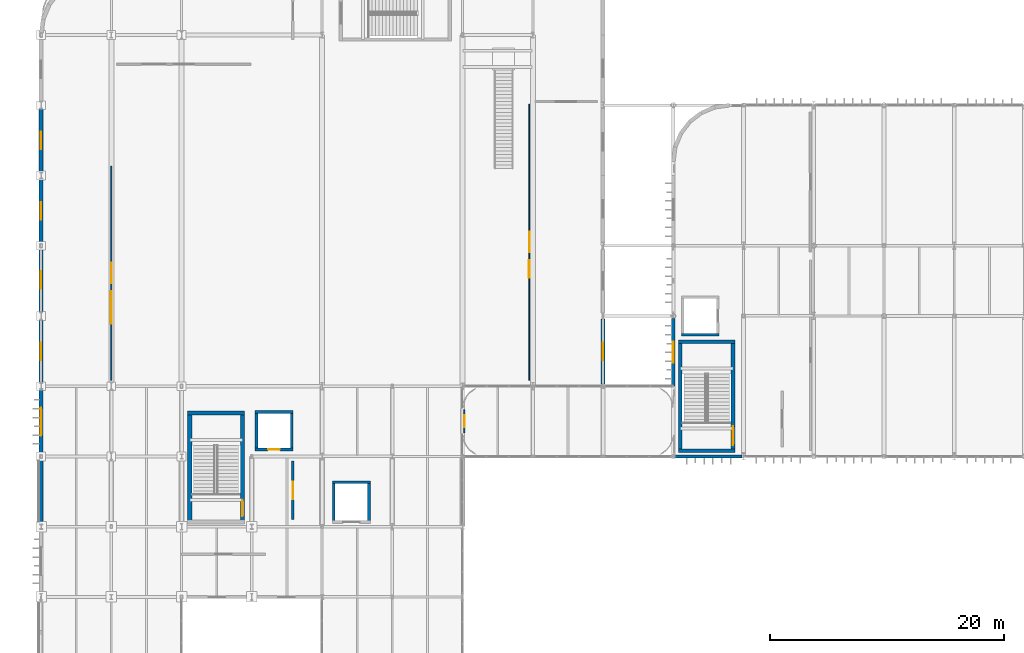
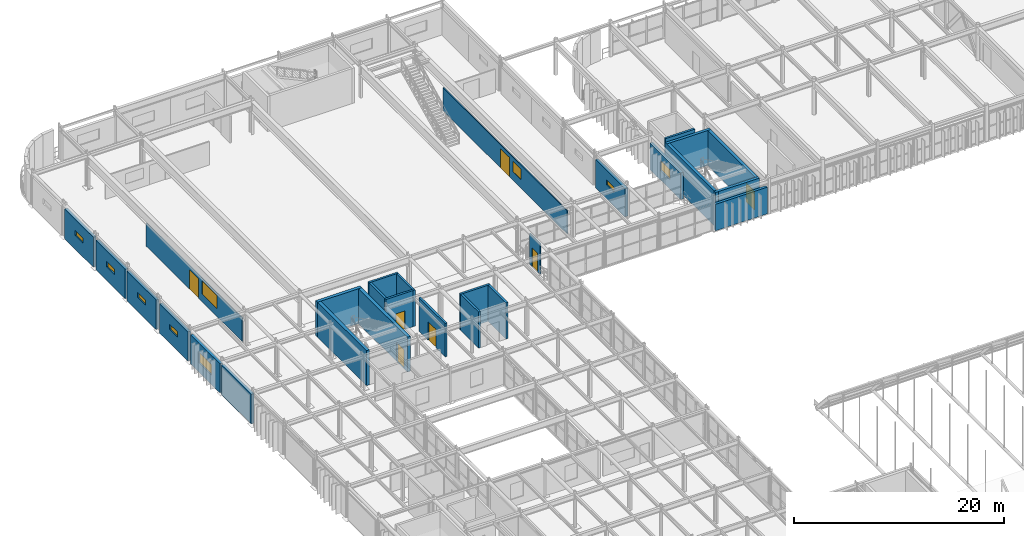
# One storey, part 89 of 116: 28 walls, 9 windows, 7 doors, 16 openings.
"""IFC4 building model written with IfcOpenShell, lengths in metres."""

from ifc_helpers import new_model, si_unit, direction, frame, frame_2d, origin, place, context, subcontext, project, spatial, rectangle, extrude, material, layer, layer_set, type_object, element, fill, save


model = new_model("IFC4")

# Units and contexts
model_context = context("Model", 3, precision=1e-05, world=origin(), true_north=direction((0.0, 1.0)))
body_context = subcontext(model_context, "Body", "Model", "MODEL_VIEW")
ifc_project = project(units=[si_unit("LENGTHUNIT", "METRE"), si_unit("AREAUNIT", "SQUARE_METRE"), si_unit("VOLUMEUNIT", "CUBIC_METRE"), si_unit("PLANEANGLEUNIT", "RADIAN"), si_unit("MASSUNIT", "GRAM", prefix="KILO")], contexts=[model_context])

# Site, building, storey
site_placement = place(None, origin())
site = spatial("IfcSite", under=ifc_project, at=site_placement, CompositionType="ELEMENT")
building_placement = place(site_placement, origin())
building = spatial("IfcBuilding", under=site, at=building_placement, Name="Varnakota Square Police Headquarters", CompositionType="ELEMENT")
storey_placement = place(building_placement, frame((0.0, 0.0, 9.300048828125)))
storey = spatial("IfcBuildingStorey", under=building, at=storey_placement, Name="L02", CompositionType="ELEMENT", Elevation=9.300048828125)

# Wall, opening, door
ifc_material_1 = material(Name="Concrete M40", Category="concrete")
ifc_layer_1 = layer(ifc_material_1, 0.22998046875, Name="Concrete M40")
ifc_layer_set_1 = layer_set([ifc_layer_1], Name="Concrete M40")
wall_type_1 = type_object("IfcWallType", Name="WL-CORE-230", PredefinedType="SHEAR", material=ifc_layer_set_1)
wall_1_placement = place(storey_placement, frame((24.284912109375, 69.60009765625, 0.0), z_axis=(0.0, 0.0, 1.0), x_axis=(1.0, 0.0, 0.0)))
wall_1 = element("IfcWall", 1, at=wall_1_placement, inside=storey, type_object=wall_type_1, Name="Lift shaft wall LF-P3 L02 S", PredefinedType="SHEAR", context=body_context, shape_type="SweptSolid", body=[
    extrude(rectangle(XDim=3.22998046875, YDim=0.22998046875, at=frame_2d((1.614990234375, 0.0))), origin(), (0.0, 0.0, 1.0), 4.199951171875),
])
opening_1_placement = place(wall_1_placement, frame((1.114990234375, 0.0, 0.0)))
opening_1 = element("IfcOpeningElement", 2, at=opening_1_placement, cuts=wall_1, Name="Opening LD034", PredefinedType="OPENING", context=body_context, shape_type="SweptSolid", body=[
    extrude(rectangle(XDim=1.0, YDim=2.14990234375, at=frame_2d((0.5, 1.074951171875))), frame((0.0, 0.125, 0.0), z_axis=(0.0, -1.0, 0.0), x_axis=(1.0, 0.0, 0.0)), (0.0, 0.0, 1.0), 0.25),
])
ifc_material_2 = material(Name="Brushed Grade 316 Stainless Steel", Category="steel")
door_type_1 = type_object("IfcDoorType", Name="DR-LD-PAX", OperationType="NOTDEFINED", PredefinedType="DOOR", material=ifc_material_2)
door_1_placement = place(opening_1_placement, origin())
door_1 = element("IfcDoor", 3, at=door_1_placement, inside=storey, type_object=door_type_1, Name="Lift sliding landing door LD034", OperationType="SLIDING_TO_LEFT", OverallHeight=2.14990234375, OverallWidth=1.0, PredefinedType="DOOR", context=body_context, shape_type="SweptSolid", body=[
    extrude(rectangle(XDim=1.0, YDim=2.14990234375, at=frame_2d((0.5, 1.074951171875))), frame((0.0, 0.02490234375, 0.0), z_axis=(0.0, -1.0, 0.0), x_axis=(1.0, 0.0, 0.0)), (0.0, 0.0, 1.0), 0.050048828125),
])
fill(opening_1, door_1)

# Walls
wall_2_placement = place(storey_placement, frame((27.39990234375, 69.485107421875, 0.0), z_axis=(0.0, 0.0, 1.0), x_axis=(0.0, 1.0, 0.0)))
element("IfcWall", 4, at=wall_2_placement, inside=storey, type_object=wall_type_1, Name="Lift shaft wall LF-P3 L02 E", PredefinedType="SHEAR", context=body_context, shape_type="SweptSolid", body=[
    extrude(rectangle(XDim=3.429931640625, YDim=0.22998046875, at=frame_2d((1.71484375, 0.0))), origin(), (0.0, 0.0, 1.0), 4.199951171875),
])
wall_3_placement = place(storey_placement, frame((27.514892578125, 72.800048828125, 0.0), z_axis=(0.0, 0.0, 1.0), x_axis=(-1.0, 0.0, 0.0)))
element("IfcWall", 5, at=wall_3_placement, inside=storey, type_object=wall_type_1, Name="Lift shaft wall LF-P3 L02 N", PredefinedType="SHEAR", context=body_context, shape_type="SweptSolid", body=[
    extrude(rectangle(XDim=3.22998046875, YDim=0.22998046875, at=frame_2d((1.614990234375, 0.0))), origin(), (0.0, 0.0, 1.0), 4.199951171875),
])
wall_4_placement = place(storey_placement, frame((24.39990234375, 72.9150390625, 0.0), z_axis=(0.0, 0.0, 1.0), x_axis=(0.0, -1.0, 0.0)))
element("IfcWall", 6, at=wall_4_placement, inside=storey, type_object=wall_type_1, Name="Lift shaft wall LF-P3 L02 W", PredefinedType="SHEAR", context=body_context, shape_type="SweptSolid", body=[
    extrude(rectangle(XDim=3.429931640625, YDim=0.22998046875, at=frame_2d((1.71484375, 0.0))), origin(), (0.0, 0.0, 1.0), 4.199951171875),
])
wall_5_placement = place(storey_placement, frame((60.68505859375, 79.39990234375, 0.0), z_axis=(0.0, 0.0, 1.0), x_axis=(1.0, 0.0, 0.0)))
element("IfcWall", 7, at=wall_5_placement, inside=storey, type_object=wall_type_1, Name="Lift shaft wall LF-P4 L02 S", PredefinedType="SHEAR", context=body_context, shape_type="SweptSolid", body=[
    extrude(rectangle(XDim=3.22998046875, YDim=0.22998046875, at=frame_2d((1.614990234375, 0.0))), origin(), (0.0, 0.0, 1.0), 4.199951171875),
])
wall_6_placement = place(storey_placement, frame((34.0, 63.284912109375, 0.0), z_axis=(0.0, 0.0, 1.0), x_axis=(0.0, 1.0, 0.0)))
element("IfcWall", 8, at=wall_6_placement, inside=storey, type_object=wall_type_1, Name="Lift shaft wall LF-G1 L02 E", PredefinedType="SHEAR", context=body_context, shape_type="SweptSolid", body=[
    extrude(rectangle(XDim=3.630126953125, YDim=0.22998046875, at=frame_2d((1.81494140625, 0.0))), origin(), (0.0, 0.0, 1.0), 4.199951171875),
])
wall_7_placement = place(storey_placement, frame((34.114990234375, 66.800048828125, 0.0), z_axis=(0.0, 0.0, 1.0), x_axis=(-1.0, 0.0, 0.0)))
element("IfcWall", 9, at=wall_7_placement, inside=storey, type_object=wall_type_1, Name="Lift shaft wall LF-G1 L02 N", PredefinedType="SHEAR", context=body_context, shape_type="SweptSolid", body=[
    extrude(rectangle(XDim=3.22998046875, YDim=0.22998046875, at=frame_2d((1.614990234375, 0.0))), origin(), (0.0, 0.0, 1.0), 4.199951171875),
])
wall_8_placement = place(storey_placement, frame((31.0, 66.9150390625, 0.0), z_axis=(0.0, 0.0, 1.0), x_axis=(0.0, -1.0, 0.0)))
element("IfcWall", 10, at=wall_8_placement, inside=storey, type_object=wall_type_1, Name="Lift shaft wall LF-G1 L02 W", PredefinedType="SHEAR", context=body_context, shape_type="SweptSolid", body=[
    extrude(rectangle(XDim=3.630126953125, YDim=0.22998046875, at=frame_2d((1.81494140625, 0.0))), origin(), (0.0, 0.0, 1.0), 4.199951171875),
])
ifc_material_3 = material(Name="Concrete M50", Category="concrete")
ifc_layer_2 = layer(ifc_material_3, 0.31005859375, Name="Concrete M50")
ifc_layer_set_2 = layer_set([ifc_layer_2], Name="Concrete M50")
wall_type_2 = type_object("IfcWallType", Name="WL-CORE-310", PredefinedType="SHEAR", material=ifc_layer_set_2)
wall_9_placement = place(storey_placement, frame((60.445068359375, 69.5, 0.0), z_axis=(0.0, 0.0, 1.0), x_axis=(1.0, 0.0, 0.0)))
element("IfcWall", 11, at=wall_9_placement, inside=storey, type_object=wall_type_2, Name="Core C6 shear wall L02 S", PredefinedType="SHEAR", context=body_context, shape_type="SweptSolid", body=[
    extrude(rectangle(XDim=4.809814453125, YDim=0.31005859375, at=frame_2d((2.40478515625, 0.0))), origin(), (0.0, 0.0, 1.0), 4.06005859375),
])

# Wall, opening, door
wall_10_placement = place(storey_placement, frame((65.10009765625, 69.344970703125, 0.0), z_axis=(0.0, 0.0, 1.0), x_axis=(0.0, 1.0, 0.0)))
wall_10 = element("IfcWall", 12, at=wall_10_placement, inside=storey, type_object=wall_type_2, Name="Core C6 shear wall L02 E", PredefinedType="SHEAR", context=body_context, shape_type="SweptSolid", body=[
    extrude(rectangle(XDim=9.610107421875, YDim=0.31005859375, at=frame_2d((4.80517578125, 0.0))), origin(), (0.0, 0.0, 1.0), 4.06005859375),
])
opening_2_placement = place(wall_10_placement, frame((0.635009765625, 0.0, 0.0)))
opening_2 = element("IfcOpeningElement", 13, at=opening_2_placement, cuts=wall_10, Name="Opening SD094", PredefinedType="OPENING", context=body_context, shape_type="SweptSolid", body=[
    extrude(rectangle(XDim=1.60009765625, YDim=2.199951171875, at=frame_2d((0.800048828125, 1.10009765625))), frame((0.0, 0.1650390625, 0.0), z_axis=(0.0, -1.0, 0.0), x_axis=(1.0, 0.0, 0.0)), (0.0, 0.0, 1.0), 0.330078125),
])
ifc_material_4 = material(Name="Powder-Coated Galvanised Steel", Category="steel")
door_type_2 = type_object("IfcDoorType", Name="DR-ST-160", OperationType="NOTDEFINED", PredefinedType="DOOR", material=ifc_material_4)
door_2_placement = place(opening_2_placement, origin())
door_2 = element("IfcDoor", 14, at=door_2_placement, inside=storey, type_object=door_type_2, Name="Protected stair door SD094", OperationType="DOUBLE_DOOR_SINGLE_SWING", OverallHeight=2.199951171875, OverallWidth=1.60009765625, PredefinedType="DOOR", context=body_context, shape_type="SweptSolid", body=[
    extrude(rectangle(XDim=1.60009765625, YDim=2.199951171875, at=frame_2d((0.800048828125, 1.10009765625))), frame((0.0, 0.02490234375, 0.0), z_axis=(0.0, -1.0, 0.0), x_axis=(1.0, 0.0, 0.0)), (0.0, 0.0, 1.0), 0.050048828125),
])
fill(opening_2, door_2)

# Walls
wall_11_placement = place(storey_placement, frame((65.2548828125, 78.800048828125, 0.0), z_axis=(0.0, 0.0, 1.0), x_axis=(-1.0, 0.0, 0.0)))
element("IfcWall", 15, at=wall_11_placement, inside=storey, type_object=wall_type_2, Name="Core C6 shear wall L02 N", PredefinedType="SHEAR", context=body_context, shape_type="SweptSolid", body=[
    extrude(rectangle(XDim=4.809814453125, YDim=0.31005859375, at=frame_2d((2.40478515625, 0.0))), origin(), (0.0, 0.0, 1.0), 4.06005859375),
])
wall_12_placement = place(storey_placement, frame((60.60009765625, 78.955078125, 0.0), z_axis=(0.0, 0.0, 1.0), x_axis=(0.0, -1.0, 0.0)))
element("IfcWall", 16, at=wall_12_placement, inside=storey, type_object=wall_type_2, Name="Core C6 shear wall L02 W", PredefinedType="SHEAR", context=body_context, shape_type="SweptSolid", body=[
    extrude(rectangle(XDim=9.610107421875, YDim=0.31005859375, at=frame_2d((4.80517578125, 0.0))), origin(), (0.0, 0.0, 1.0), 4.06005859375),
])

# Wall, opening, door
ifc_layer_3 = layer(ifc_material_3, 0.35009765625, Name="Concrete M50")
ifc_layer_set_3 = layer_set([ifc_layer_3], Name="Concrete M50")
wall_type_3 = type_object("IfcWallType", Name="WL-CORE-350", PredefinedType="SHEAR", material=ifc_layer_set_3)
wall_13_placement = place(storey_placement, frame((23.199951171875, 63.22509765625, 0.0), z_axis=(0.0, 0.0, 1.0), x_axis=(0.0, 1.0, 0.0)))
wall_13 = element("IfcWall", 17, at=wall_13_placement, inside=storey, type_object=wall_type_3, Name="Core C5 shear wall L02 E", PredefinedType="SHEAR", context=body_context, shape_type="SweptSolid", body=[
    extrude(rectangle(XDim=9.64990234375, YDim=0.35009765625, at=frame_2d((4.824951171875, 0.0))), origin(), (0.0, 0.0, 1.0), 4.06005859375),
])
opening_3_placement = place(wall_13_placement, frame((0.655029296875, 0.0, 0.0)))
opening_3 = element("IfcOpeningElement", 18, at=opening_3_placement, cuts=wall_13, Name="Opening SD080", PredefinedType="OPENING", context=body_context, shape_type="SweptSolid", body=[
    extrude(rectangle(XDim=1.39990234375, YDim=2.199951171875, at=frame_2d((0.699951171875, 1.10009765625))), frame((0.0, 0.18505859375, 0.0), z_axis=(0.0, -1.0, 0.0), x_axis=(1.0, 0.0, 0.0)), (0.0, 0.0, 1.0), 0.3701171875),
])
door_type_3 = type_object("IfcDoorType", Name="DR-ST-140", OperationType="NOTDEFINED", PredefinedType="DOOR", material=ifc_material_4)
door_3_placement = place(opening_3_placement, origin())
door_3 = element("IfcDoor", 19, at=door_3_placement, inside=storey, type_object=door_type_3, Name="Protected stair door SD080", OperationType="DOUBLE_DOOR_SINGLE_SWING", OverallHeight=2.199951171875, OverallWidth=1.39990234375, PredefinedType="DOOR", context=body_context, shape_type="SweptSolid", body=[
    extrude(rectangle(XDim=1.39990234375, YDim=2.199951171875, at=frame_2d((0.699951171875, 1.10009765625))), frame((0.0, 0.02490234375, 0.0), z_axis=(0.0, -1.0, 0.0), x_axis=(1.0, 0.0, 0.0)), (0.0, 0.0, 1.0), 0.050048828125),
])
fill(opening_3, door_3)

# Walls
wall_14_placement = place(storey_placement, frame((23.375, 72.699951171875, 0.0), z_axis=(0.0, 0.0, 1.0), x_axis=(-1.0, 0.0, 0.0)))
element("IfcWall", 20, at=wall_14_placement, inside=storey, type_object=wall_type_3, Name="Core C5 shear wall L02 N", PredefinedType="SHEAR", context=body_context, shape_type="SweptSolid", body=[
    extrude(rectangle(XDim=4.85009765625, YDim=0.35009765625, at=frame_2d((2.425048828125, 0.0))), origin(), (0.0, 0.0, 1.0), 4.06005859375),
])
wall_15_placement = place(storey_placement, frame((18.699951171875, 72.875, 0.0), z_axis=(0.0, 0.0, 1.0), x_axis=(0.0, -1.0, 0.0)))
element("IfcWall", 21, at=wall_15_placement, inside=storey, type_object=wall_type_3, Name="Core C5 shear wall L02 W", PredefinedType="SHEAR", context=body_context, shape_type="SweptSolid", body=[
    extrude(rectangle(XDim=9.64990234375, YDim=0.35009765625, at=frame_2d((4.824951171875, 0.0))), origin(), (0.0, 0.0, 1.0), 4.06005859375),
])
ifc_layer_4 = layer(ifc_material_1, 0.280029296875, Name="Concrete M40")
ifc_layer_set_4 = layer_set([ifc_layer_4], Name="Concrete M40")
wall_type_4 = type_object("IfcWallType", Name="WL-EXT-280", PredefinedType="SOLIDWALL", material=ifc_layer_set_4)
wall_16_placement = place(storey_placement, frame((60.154052734375, 69.0, 0.0), z_axis=(0.0, 0.0, 1.0), x_axis=(1.0, 0.0, 0.0)))
element("IfcWall", 22, at=wall_16_placement, inside=storey, type_object=wall_type_4, Name="Exterior wall EW-L02-0504", PredefinedType="SOLIDWALL", context=body_context, shape_type="SweptSolid", body=[
    extrude(rectangle(XDim=5.717041015625, YDim=0.280029296875, at=frame_2d((2.8583984375, 0.0))), origin(), (0.0, 0.0, 1.0), 3.08984375),
])
ifc_material_5 = material(Name="Precast concrete M40", Category="concrete")
ifc_layer_5 = layer(ifc_material_5, 0.320068359375, Name="Precast concrete M40")
ifc_layer_set_5 = layer_set([ifc_layer_5], Name="Precast concrete M40")
wall_type_5 = type_object("IfcWallType", Name="WL-EXT-320", PredefinedType="SOLIDWALL", material=ifc_layer_set_5)
wall_17_placement = place(storey_placement, frame((6.0, 63.2041015625, 0.0), z_axis=(0.0, 0.0, 1.0), x_axis=(0.0, 1.0, 0.0)))
element("IfcWall", 23, at=wall_17_placement, inside=storey, type_object=wall_type_5, Name="Exterior wall EW-L02-0420", PredefinedType="SOLIDWALL", context=body_context, shape_type="SweptSolid", body=[
    extrude(rectangle(XDim=5.641845703125, YDim=0.320068359375, at=frame_2d((2.82080078125, 0.0))), origin(), (0.0, 0.0, 1.0), 3.43994140625),
])

# Wall, opening, window
wall_18_placement = place(storey_placement, frame((6.0, 69.154052734375, 0.0), z_axis=(0.0, 0.0, 1.0), x_axis=(0.0, 1.0, 0.0)))
wall_18 = element("IfcWall", 24, at=wall_18_placement, inside=storey, type_object=wall_type_5, Name="Exterior wall EW-L02-0421", PredefinedType="SOLIDWALL", context=body_context, shape_type="SweptSolid", body=[
    extrude(rectangle(XDim=5.592041015625, YDim=0.320068359375, at=frame_2d((2.7958984375, 0.0))), origin(), (0.0, 0.0, 1.0), 3.389892578125),
])
opening_4_placement = place(wall_18_placement, frame((1.595947265625, 0.0, 1.10009765625)))
opening_4 = element("IfcOpeningElement", 25, at=opening_4_placement, cuts=wall_18, Name="Opening W06", PredefinedType="OPENING", context=body_context, shape_type="SweptSolid", body=[
    extrude(rectangle(XDim=2.39990234375, YDim=1.199951171875, at=frame_2d((1.199951171875, 0.60009765625))), frame((0.0, 0.169921875, 0.0), z_axis=(0.0, -1.0, 0.0), x_axis=(1.0, 0.0, 0.0)), (0.0, 0.0, 1.0), 0.340087890625),
])
ifc_material_6 = material(Name="Thermally Broken Aluminium Double-Glazed Window", Category="aluminium")
window_type_1 = type_object("IfcWindowType", Name="WIN-06", PartitioningType="SINGLE_PANEL", PredefinedType="WINDOW", material=ifc_material_6)
window_1_placement = place(opening_4_placement, origin())
window_1 = element("IfcWindow", 26, at=window_1_placement, inside=storey, type_object=window_type_1, Name="Window WN-L02-0084", OverallHeight=1.199951171875, OverallWidth=2.39990234375, PartitioningType="SINGLE_PANEL", PredefinedType="WINDOW", context=body_context, shape_type="SweptSolid", body=[
    extrude(rectangle(XDim=2.39990234375, YDim=1.199951171875, at=frame_2d((1.199951171875, 0.60009765625))), frame((0.0, 0.030029296875, 0.0), z_axis=(0.0, -1.0, 0.0), x_axis=(1.0, 0.0, 0.0)), (0.0, 0.0, 1.0), 0.06005859375),
])
fill(opening_4, window_1)

wall_19_placement = place(storey_placement, frame((60.0, 75.0, 0.0), z_axis=(0.0, 0.0, 1.0), x_axis=(0.0, 1.0, 0.0)))
wall_19 = element("IfcWall", 27, at=wall_19_placement, inside=storey, type_object=wall_type_5, Name="Exterior wall EW-L02-0505", PredefinedType="SOLIDWALL", context=body_context, shape_type="SweptSolid", body=[
    extrude(rectangle(XDim=5.792724609375, YDim=0.320068359375, at=frame_2d((2.896484375, 0.0))), origin(), (0.0, 0.0, 1.0), 3.08984375),
])
opening_5_placement = place(wall_19_placement, frame((1.996337890625, 0.0, 1.10009765625)))
opening_5 = element("IfcOpeningElement", 28, at=opening_5_placement, cuts=wall_19, Name="Opening W05", PredefinedType="OPENING", context=body_context, shape_type="SweptSolid", body=[
    extrude(rectangle(XDim=1.800048828125, YDim=1.199951171875, at=frame_2d((0.89990234375, 0.60009765625))), frame((0.0, 0.169921875, 0.0), z_axis=(0.0, -1.0, 0.0), x_axis=(1.0, 0.0, 0.0)), (0.0, 0.0, 1.0), 0.340087890625),
])
window_type_2 = type_object("IfcWindowType", Name="WIN-05", PartitioningType="SINGLE_PANEL", PredefinedType="WINDOW", material=ifc_material_6)
window_2_placement = place(opening_5_placement, origin())
window_2 = element("IfcWindow", 29, at=window_2_placement, inside=storey, type_object=window_type_2, Name="Window WN-L02-0119", OverallHeight=1.199951171875, OverallWidth=1.800048828125, PartitioningType="SINGLE_PANEL", PredefinedType="WINDOW", context=body_context, shape_type="SweptSolid", body=[
    extrude(rectangle(XDim=1.800048828125, YDim=1.199951171875, at=frame_2d((0.89990234375, 0.60009765625))), frame((0.0, 0.030029296875, 0.0), z_axis=(0.0, -1.0, 0.0), x_axis=(1.0, 0.0, 0.0)), (0.0, 0.0, 1.0), 0.06005859375),
])
fill(opening_5, window_2)

wall_20_placement = place(storey_placement, frame((6.0, 75.25390625, 0.0), z_axis=(0.0, 0.0, 1.0), x_axis=(0.0, 1.0, 0.0)))
wall_20 = element("IfcWall", 30, at=wall_20_placement, inside=storey, type_object=wall_type_5, Name="Exterior wall EW-L02-0603", PredefinedType="SOLIDWALL", context=body_context, shape_type="SweptSolid", body=[
    extrude(rectangle(XDim=5.442138671875, YDim=0.320068359375, at=frame_2d((2.72119140625, 0.0))), origin(), (0.0, 0.0, 1.0), 3.389892578125),
])
opening_6_placement = place(wall_20_placement, frame((1.970947265625, 0.0, 1.60009765625)))
opening_6 = element("IfcOpeningElement", 31, at=opening_6_placement, cuts=wall_20, Name="Opening W14", PredefinedType="OPENING", context=body_context, shape_type="SweptSolid", body=[
    extrude(rectangle(XDim=1.5, YDim=0.60009765625, at=frame_2d((0.75, 0.300048828125))), frame((0.0, 0.169921875, 0.0), z_axis=(0.0, -1.0, 0.0), x_axis=(1.0, 0.0, 0.0)), (0.0, 0.0, 1.0), 0.340087890625),
])
window_type_3 = type_object("IfcWindowType", Name="WIN-14", PartitioningType="SINGLE_PANEL", PredefinedType="WINDOW", material=ifc_material_6)
window_3_placement = place(opening_6_placement, origin())
window_3 = element("IfcWindow", 32, at=window_3_placement, inside=storey, type_object=window_type_3, Name="Window WN-L02-0128", OverallHeight=0.60009765625, OverallWidth=1.5, PartitioningType="SINGLE_PANEL", PredefinedType="WINDOW", context=body_context, shape_type="SweptSolid", body=[
    extrude(rectangle(XDim=1.5, YDim=0.60009765625, at=frame_2d((0.75, 0.300048828125))), frame((0.0, 0.030029296875, 0.0), z_axis=(0.0, -1.0, 0.0), x_axis=(1.0, 0.0, 0.0)), (0.0, 0.0, 1.0), 0.06005859375),
])
fill(opening_6, window_3)

wall_21_placement = place(storey_placement, frame((6.0, 81.303955078125, 0.0), z_axis=(0.0, 0.0, 1.0), x_axis=(0.0, 1.0, 0.0)))
wall_21 = element("IfcWall", 33, at=wall_21_placement, inside=storey, type_object=wall_type_5, Name="Exterior wall EW-L02-0604", PredefinedType="SOLIDWALL", context=body_context, shape_type="SweptSolid", body=[
    extrude(rectangle(XDim=5.51708984375, YDim=0.320068359375, at=frame_2d((2.758544921875, 0.0))), origin(), (0.0, 0.0, 1.0), 3.43994140625),
])
opening_7_placement = place(wall_21_placement, frame((2.008544921875, 0.0, 1.60009765625)))
opening_7 = element("IfcOpeningElement", 34, at=opening_7_placement, cuts=wall_21, Name="Opening W14", PredefinedType="OPENING", context=body_context, shape_type="SweptSolid", body=[
    extrude(rectangle(XDim=1.5, YDim=0.60009765625, at=frame_2d((0.75, 0.300048828125))), frame((0.0, 0.169921875, 0.0), z_axis=(0.0, -1.0, 0.0), x_axis=(1.0, 0.0, 0.0)), (0.0, 0.0, 1.0), 0.340087890625),
])
window_4_placement = place(opening_7_placement, origin())
window_4 = element("IfcWindow", 35, at=window_4_placement, inside=storey, type_object=window_type_3, Name="Window WN-L02-0129", OverallHeight=0.60009765625, OverallWidth=1.5, PartitioningType="SINGLE_PANEL", PredefinedType="WINDOW", context=body_context, shape_type="SweptSolid", body=[
    extrude(rectangle(XDim=1.5, YDim=0.60009765625, at=frame_2d((0.75, 0.300048828125))), frame((0.0, 0.030029296875, 0.0), z_axis=(0.0, -1.0, 0.0), x_axis=(1.0, 0.0, 0.0)), (0.0, 0.0, 1.0), 0.06005859375),
])
fill(opening_7, window_4)

wall_22_placement = place(storey_placement, frame((6.0, 87.178955078125, 0.0), z_axis=(0.0, 0.0, 1.0), x_axis=(0.0, 1.0, 0.0)))
wall_22 = element("IfcWall", 36, at=wall_22_placement, inside=storey, type_object=wall_type_5, Name="Exterior wall EW-L02-0605", PredefinedType="SOLIDWALL", context=body_context, shape_type="SweptSolid", body=[
    extrude(rectangle(XDim=5.567138671875, YDim=0.320068359375, at=frame_2d((2.78369140625, 0.0))), origin(), (0.0, 0.0, 1.0), 3.43994140625),
])
opening_8_placement = place(wall_22_placement, frame((2.033447265625, 0.0, 1.60009765625)))
opening_8 = element("IfcOpeningElement", 37, at=opening_8_placement, cuts=wall_22, Name="Opening W14", PredefinedType="OPENING", context=body_context, shape_type="SweptSolid", body=[
    extrude(rectangle(XDim=1.5, YDim=0.60009765625, at=frame_2d((0.75, 0.300048828125))), frame((0.0, 0.169921875, 0.0), z_axis=(0.0, -1.0, 0.0), x_axis=(1.0, 0.0, 0.0)), (0.0, 0.0, 1.0), 0.340087890625),
])
window_5_placement = place(opening_8_placement, origin())
window_5 = element("IfcWindow", 38, at=window_5_placement, inside=storey, type_object=window_type_3, Name="Window WN-L02-0130", OverallHeight=0.60009765625, OverallWidth=1.5, PartitioningType="SINGLE_PANEL", PredefinedType="WINDOW", context=body_context, shape_type="SweptSolid", body=[
    extrude(rectangle(XDim=1.5, YDim=0.60009765625, at=frame_2d((0.75, 0.300048828125))), frame((0.0, 0.030029296875, 0.0), z_axis=(0.0, -1.0, 0.0), x_axis=(1.0, 0.0, 0.0)), (0.0, 0.0, 1.0), 0.06005859375),
])
fill(opening_8, window_5)

wall_23_placement = place(storey_placement, frame((6.0, 93.25390625, 0.0), z_axis=(0.0, 0.0, 1.0), x_axis=(0.0, 1.0, 0.0)))
wall_23 = element("IfcWall", 39, at=wall_23_placement, inside=storey, type_object=wall_type_5, Name="Exterior wall EW-L02-0606", PredefinedType="SOLIDWALL", context=body_context, shape_type="SweptSolid", body=[
    extrude(rectangle(XDim=5.442138671875, YDim=0.320068359375, at=frame_2d((2.72119140625, 0.0))), origin(), (0.0, 0.0, 1.0), 3.483642578125),
])
opening_9_placement = place(wall_23_placement, frame((1.970947265625, 0.0, 1.60009765625)))
opening_9 = element("IfcOpeningElement", 40, at=opening_9_placement, cuts=wall_23, Name="Opening W14", PredefinedType="OPENING", context=body_context, shape_type="SweptSolid", body=[
    extrude(rectangle(XDim=1.5, YDim=0.60009765625, at=frame_2d((0.75, 0.300048828125))), frame((0.0, 0.169921875, 0.0), z_axis=(0.0, -1.0, 0.0), x_axis=(1.0, 0.0, 0.0)), (0.0, 0.0, 1.0), 0.340087890625),
])
window_6_placement = place(opening_9_placement, origin())
window_6 = element("IfcWindow", 41, at=window_6_placement, inside=storey, type_object=window_type_3, Name="Window WN-L02-0131", OverallHeight=0.60009765625, OverallWidth=1.5, PartitioningType="SINGLE_PANEL", PredefinedType="WINDOW", context=body_context, shape_type="SweptSolid", body=[
    extrude(rectangle(XDim=1.5, YDim=0.60009765625, at=frame_2d((0.75, 0.300048828125))), frame((0.0, 0.030029296875, 0.0), z_axis=(0.0, -1.0, 0.0), x_axis=(1.0, 0.0, 0.0)), (0.0, 0.0, 1.0), 0.06005859375),
])
fill(opening_9, window_6)

wall_24_placement = place(storey_placement, frame((54.0, 75.178955078125, 0.0), z_axis=(0.0, 0.0, 1.0), x_axis=(0.0, 1.0, 0.0)))
wall_24 = element("IfcWall", 42, at=wall_24_placement, inside=storey, type_object=wall_type_5, Name="Exterior wall EW-L02-0615", PredefinedType="SOLIDWALL", context=body_context, shape_type="SweptSolid", body=[
    extrude(rectangle(XDim=5.567138671875, YDim=0.320068359375, at=frame_2d((2.78369140625, 0.0))), origin(), (0.0, 0.0, 1.0), 3.2900390625),
])
opening_10_placement = place(wall_24_placement, frame((2.033447265625, 0.0, 1.60009765625)))
opening_10 = element("IfcOpeningElement", 43, at=opening_10_placement, cuts=wall_24, Name="Opening W14", PredefinedType="OPENING", context=body_context, shape_type="SweptSolid", body=[
    extrude(rectangle(XDim=1.5, YDim=0.60009765625, at=frame_2d((0.75, 0.300048828125))), frame((0.0, 0.169921875, 0.0), z_axis=(0.0, -1.0, 0.0), x_axis=(1.0, 0.0, 0.0)), (0.0, 0.0, 1.0), 0.340087890625),
])
window_7_placement = place(opening_10_placement, origin())
window_7 = element("IfcWindow", 44, at=window_7_placement, inside=storey, type_object=window_type_3, Name="Window WN-L02-0140", OverallHeight=0.60009765625, OverallWidth=1.5, PartitioningType="SINGLE_PANEL", PredefinedType="WINDOW", context=body_context, shape_type="SweptSolid", body=[
    extrude(rectangle(XDim=1.5, YDim=0.60009765625, at=frame_2d((0.75, 0.300048828125))), frame((0.0, 0.030029296875, 0.0), z_axis=(0.0, -1.0, 0.0), x_axis=(1.0, 0.0, 0.0)), (0.0, 0.0, 1.0), 0.06005859375),
])
fill(opening_10, window_7)

# Wall, openings, door, window
ifc_material_7 = material(Name="Lightweight Demountable Office Partition", Category="gypsum")
ifc_layer_6 = layer(ifc_material_7, 0.094970703125, Name="Lightweight Demountable Office Partition")
ifc_layer_set_6 = layer_set([ifc_layer_6], Name="Lightweight Demountable Office Partition")
wall_type_6 = type_object("IfcWallType", Name="WL-PRT-095", PredefinedType="PARTITIONING", material=ifc_layer_set_6)
wall_25_placement = place(storey_placement, frame((47.699951171875, 99.10009765625, 0.0), z_axis=(0.0, 0.0, 1.0), x_axis=(0.0, -1.0, 0.0)))
wall_25 = element("IfcWall", 45, at=wall_25_placement, inside=storey, type_object=wall_type_6, Name="Interior partition PW-L02-0138 (Tactical Gymnasium)", PredefinedType="PARTITIONING", context=body_context, shape_type="SweptSolid", body=[
    extrude(rectangle(XDim=23.60009765625, YDim=0.094970703125, at=frame_2d((11.800048828125, 0.0))), origin(), (0.0, 0.0, 1.0), 2.68994140625),
])
opening_11_placement = place(wall_25_placement, frame((10.925048828125, 0.0, 0.0)))
opening_11 = element("IfcOpeningElement", 46, at=opening_11_placement, cuts=wall_25, Name="Opening D225", PredefinedType="OPENING", context=body_context, shape_type="SweptSolid", body=[
    extrude(rectangle(XDim=1.75, YDim=2.25, at=frame_2d((0.875, 1.125))), frame((0.0, 0.057373046875, 0.0), z_axis=(0.0, -1.0, 0.0), x_axis=(1.0, 0.0, 0.0)), (0.0, 0.0, 1.0), 0.114990234375),
])
opening_12_placement = place(wall_25_placement, frame((13.324951171875, 0.0, 1.0)))
opening_12 = element("IfcOpeningElement", 47, at=opening_12_placement, cuts=wall_25, Name="Opening IW07", PredefinedType="OPENING", context=body_context, shape_type="SweptSolid", body=[
    extrude(rectangle(XDim=1.5, YDim=1.199951171875, at=frame_2d((0.75, 0.60009765625))), frame((0.0, 0.057373046875, 0.0), z_axis=(0.0, -1.0, 0.0), x_axis=(1.0, 0.0, 0.0)), (0.0, 0.0, 1.0), 0.114990234375),
])
ifc_material_8 = material(Name="Thermally Broken Anodised Aluminium and Toughened Glass", Category="aluminium")
door_type_4 = type_object("IfcDoorType", Name="DR-GYM-175", OperationType="NOTDEFINED", PredefinedType="DOOR", material=ifc_material_8)
door_4_placement = place(opening_11_placement, origin())
door_4 = element("IfcDoor", 48, at=door_4_placement, inside=storey, type_object=door_type_4, Name="Room door D225 (Tactical Gymnasium)", OperationType="DOUBLE_DOOR_SINGLE_SWING", OverallHeight=2.25, OverallWidth=1.75, PredefinedType="DOOR", context=body_context, shape_type="SweptSolid", body=[
    extrude(rectangle(XDim=1.75, YDim=2.25, at=frame_2d((0.875, 1.125))), frame((0.0, 0.02490234375, 0.0), z_axis=(0.0, -1.0, 0.0), x_axis=(1.0, 0.0, 0.0)), (0.0, 0.0, 1.0), 0.050048828125),
])
fill(opening_11, door_4)
ifc_material_9 = material(Name="Acoustic Laminated Interior Vision Glazing", Category="glass")
window_type_4 = type_object("IfcWindowType", Name="WIN-INT-07", PartitioningType="SINGLE_PANEL", PredefinedType="WINDOW", material=ifc_material_9)
window_8_placement = place(opening_12_placement, origin())
window_8 = element("IfcWindow", 49, at=window_8_placement, inside=storey, type_object=window_type_4, Name="Interior observation window IWN-L02-023", OverallHeight=1.199951171875, OverallWidth=1.5, PartitioningType="SINGLE_PANEL", PredefinedType="WINDOW", context=body_context, shape_type="SweptSolid", body=[
    extrude(rectangle(XDim=1.5, YDim=1.199951171875, at=frame_2d((0.75, 0.60009765625))), frame((0.0, 0.030029296875, 0.0), z_axis=(0.0, -1.0, 0.0), x_axis=(1.0, 0.0, 0.0)), (0.0, 0.0, 1.0), 0.06005859375),
])
fill(opening_12, window_8)

# Wall, opening, door
ifc_material_10 = material(Name="Glazed Clean-Lab Modular Partition", Category="gypsum")
ifc_layer_7 = layer(ifc_material_10, 0.10498046875, Name="Glazed Clean-Lab Modular Partition")
ifc_layer_set_7 = layer_set([ifc_layer_7], Name="Glazed Clean-Lab Modular Partition")
wall_type_7 = type_object("IfcWallType", Name="WL-PRT-105", PredefinedType="PARTITIONING", material=ifc_layer_set_7)
wall_26_placement = place(storey_placement, frame((42.14990234375, 71.009765625, 0.0), z_axis=(0.0, 0.0, 1.0), x_axis=(0.0, 1.0, 0.0)))
wall_26 = element("IfcWall", 50, at=wall_26_placement, inside=storey, type_object=wall_type_7, Name="Interior partition PW-L02-0135 (Second Floor North Link Walkway)", PredefinedType="PARTITIONING", context=body_context, shape_type="SweptSolid", body=[
    extrude(rectangle(XDim=1.98046875, YDim=0.10498046875, at=frame_2d((0.990234375, 0.0))), origin(), (0.0, 0.0, 1.0), 3.566162109375),
])
opening_13_placement = place(wall_26_placement, frame((0.490234375, 0.0, 0.0)))
opening_13 = element("IfcOpeningElement", 51, at=opening_13_placement, cuts=wall_26, Name="Opening D222", PredefinedType="OPENING", context=body_context, shape_type="SweptSolid", body=[
    extrude(rectangle(XDim=1.0, YDim=2.14990234375, at=frame_2d((0.5, 1.074951171875))), frame((0.0, 0.0625, 0.0), z_axis=(0.0, -1.0, 0.0), x_axis=(1.0, 0.0, 0.0)), (0.0, 0.0, 1.0), 0.125),
])
ifc_material_11 = material(Name="Solid-Core Teak Veneer Hardwood", Category="wood")
door_type_5 = type_object("IfcDoorType", Name="DR-OFF-100", OperationType="NOTDEFINED", PredefinedType="DOOR", material=ifc_material_11)
door_5_placement = place(opening_13_placement, origin())
door_5 = element("IfcDoor", 52, at=door_5_placement, inside=storey, type_object=door_type_5, Name="Room door D222 (Second Floor North Link Walkway)", OperationType="SINGLE_SWING_LEFT", OverallHeight=2.14990234375, OverallWidth=1.0, PredefinedType="DOOR", context=body_context, shape_type="SweptSolid", body=[
    extrude(rectangle(XDim=1.0, YDim=2.14990234375, at=frame_2d((0.5, 1.074951171875))), frame((0.0, 0.02490234375, 0.0), z_axis=(0.0, -1.0, 0.0), x_axis=(1.0, 0.0, 0.0)), (0.0, 0.0, 1.0), 0.050048828125),
])
fill(opening_13, door_5)

# Wall, openings, door, window
wall_27_placement = place(storey_placement, frame((12.0, 93.800048828125, 0.0), z_axis=(0.0, 0.0, 1.0), x_axis=(0.0, -1.0, 0.0)))
wall_27 = element("IfcWall", 53, at=wall_27_placement, inside=storey, type_object=wall_type_7, Name="Interior partition PW-L02-0140 (Men Locker Room)", PredefinedType="PARTITIONING", context=body_context, shape_type="SweptSolid", body=[
    extrude(rectangle(XDim=18.300048828125, YDim=0.10498046875, at=frame_2d((9.14990234375, 0.0))), origin(), (0.0, 0.0, 1.0), 2.68994140625),
])
opening_14_placement = place(wall_27_placement, frame((8.27490234375, 0.0, 0.0)))
opening_14 = element("IfcOpeningElement", 54, at=opening_14_placement, cuts=wall_27, Name="Opening D227", PredefinedType="OPENING", context=body_context, shape_type="SweptSolid", body=[
    extrude(rectangle(XDim=1.75, YDim=2.25, at=frame_2d((0.875, 1.125))), frame((0.0, 0.0625, 0.0), z_axis=(0.0, -1.0, 0.0), x_axis=(1.0, 0.0, 0.0)), (0.0, 0.0, 1.0), 0.125),
])
opening_15_placement = place(wall_27_placement, frame((10.675048828125, 0.0, 0.89990234375)))
opening_15 = element("IfcOpeningElement", 55, at=opening_15_placement, cuts=wall_27, Name="Opening IW08", PredefinedType="OPENING", context=body_context, shape_type="SweptSolid", body=[
    extrude(rectangle(XDim=2.800048828125, YDim=1.5, at=frame_2d((1.39990234375, 0.75))), frame((0.0, 0.0625, 0.0), z_axis=(0.0, -1.0, 0.0), x_axis=(1.0, 0.0, 0.0)), (0.0, 0.0, 1.0), 0.125),
])
door_6_placement = place(opening_14_placement, origin())
door_6 = element("IfcDoor", 56, at=door_6_placement, inside=storey, type_object=door_type_4, Name="Room door D227 (Men Locker Room)", OperationType="DOUBLE_DOOR_SINGLE_SWING", OverallHeight=2.25, OverallWidth=1.75, PredefinedType="DOOR", context=body_context, shape_type="SweptSolid", body=[
    extrude(rectangle(XDim=1.75, YDim=2.25, at=frame_2d((0.875, 1.125))), frame((0.0, 0.02490234375, 0.0), z_axis=(0.0, -1.0, 0.0), x_axis=(1.0, 0.0, 0.0)), (0.0, 0.0, 1.0), 0.050048828125),
])
fill(opening_14, door_6)
window_type_5 = type_object("IfcWindowType", Name="WIN-INT-08", PartitioningType="SINGLE_PANEL", PredefinedType="WINDOW", material=ifc_material_9)
window_9_placement = place(opening_15_placement, origin())
window_9 = element("IfcWindow", 57, at=window_9_placement, inside=storey, type_object=window_type_5, Name="Interior observation window IWN-L02-024", OverallHeight=1.5, OverallWidth=2.800048828125, PartitioningType="SINGLE_PANEL", PredefinedType="WINDOW", context=body_context, shape_type="SweptSolid", body=[
    extrude(rectangle(XDim=2.800048828125, YDim=1.5, at=frame_2d((1.39990234375, 0.75))), frame((0.0, 0.030029296875, 0.0), z_axis=(0.0, -1.0, 0.0), x_axis=(1.0, 0.0, 0.0)), (0.0, 0.0, 1.0), 0.06005859375),
])
fill(opening_15, window_9)

# Wall, opening, door
ifc_layer_8 = layer(ifc_material_1, 0.215087890625, Name="Concrete M40")
ifc_layer_set_8 = layer_set([ifc_layer_8], Name="Concrete M40")
wall_type_8 = type_object("IfcWallType", Name="WL-PRT-215F", PredefinedType="PARTITIONING", material=ifc_layer_set_8)
wall_28_placement = place(storey_placement, frame((27.5, 63.60009765625, 0.0), z_axis=(0.0, 0.0, 1.0), x_axis=(0.0, 1.0, 0.0)))
wall_28 = element("IfcWall", 58, at=wall_28_placement, inside=storey, type_object=wall_type_8, Name="Core C5 lobby fire partition L02", PredefinedType="PARTITIONING", context=body_context, shape_type="SweptSolid", body=[
    extrude(rectangle(XDim=5.0, YDim=0.215087890625, at=frame_2d((2.5, 0.0))), origin(), (0.0, 0.0, 1.0), 3.889892578125),
])
opening_16_placement = place(wall_28_placement, frame((1.75, 0.0, 0.0)))
opening_16 = element("IfcOpeningElement", 59, at=opening_16_placement, cuts=wall_28, Name="Opening FD087", PredefinedType="OPENING", context=body_context, shape_type="SweptSolid", body=[
    extrude(rectangle(XDim=1.5, YDim=2.14990234375, at=frame_2d((0.75, 1.074951171875))), frame((0.0, 0.117431640625, 0.0), z_axis=(0.0, -1.0, 0.0), x_axis=(1.0, 0.0, 0.0)), (0.0, 0.0, 1.0), 0.235107421875),
])
ifc_material_12 = material(Name="Smoke-Sealed Galvanised Acoustic Steel", Category="steel")
door_type_6 = type_object("IfcDoorType", Name="DR-FFL-150", OperationType="NOTDEFINED", PredefinedType="DOOR", material=ifc_material_12)
door_7_placement = place(opening_16_placement, origin())
door_7 = element("IfcDoor", 60, at=door_7_placement, inside=storey, type_object=door_type_6, Name="Core lobby smoke door FD087", OperationType="DOUBLE_DOOR_SINGLE_SWING", OverallHeight=2.14990234375, OverallWidth=1.5, PredefinedType="DOOR", context=body_context, shape_type="SweptSolid", body=[
    extrude(rectangle(XDim=1.5, YDim=2.14990234375, at=frame_2d((0.75, 1.074951171875))), frame((0.0, 0.02490234375, 0.0), z_axis=(0.0, -1.0, 0.0), x_axis=(1.0, 0.0, 0.0)), (0.0, 0.0, 1.0), 0.050048828125),
])
fill(opening_16, door_7)

save(model, "model.ifc")
